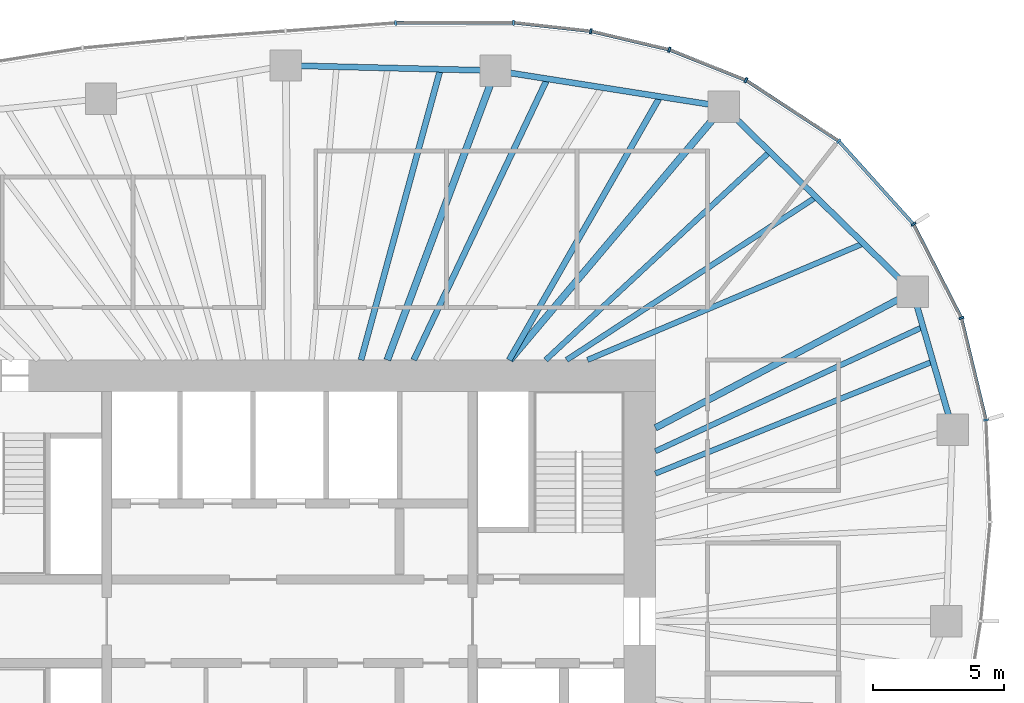
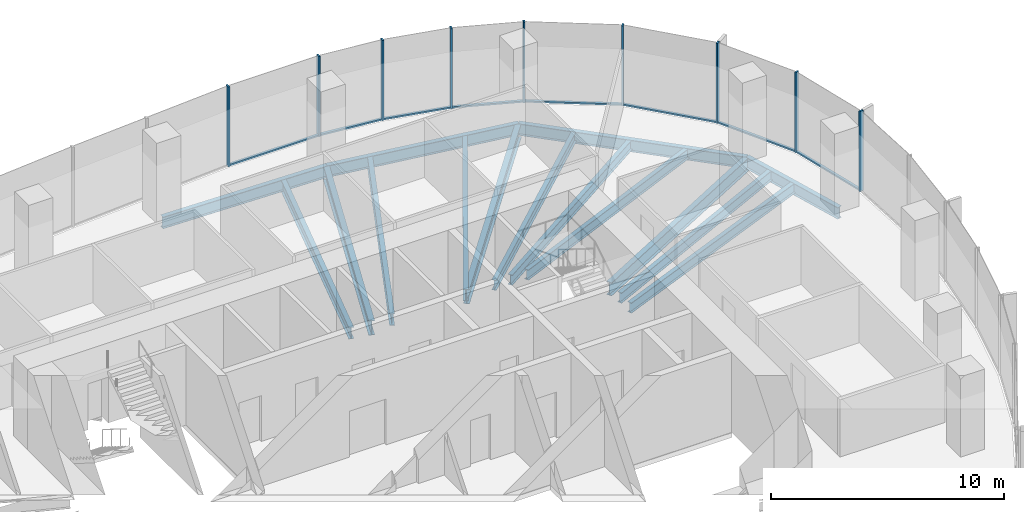
# One storey, part 6 of 12: 17 members, 15 beams, 4 elements without a shape of their own.
"""IFC4 building model written with IfcOpenShell, lengths in metres."""

from ifc_helpers import new_model, si_unit, direction, frame, origin, origin_2d, place, context, subcontext, project, spatial, rectangle, i_section, extrude, material, material_profile, profile_set, type_object, element, aggregate, save


model = new_model("IFC4")

# Units and contexts
model_context = context("Model", 3, precision=1e-05, world=origin(), true_north=direction((0.0, 1.0)))
body_context = subcontext(model_context, "Body", "Model", "MODEL_VIEW")
ifc_project = project(units=[si_unit("LENGTHUNIT", "METRE"), si_unit("AREAUNIT", "SQUARE_METRE"), si_unit("VOLUMEUNIT", "CUBIC_METRE"), si_unit("PLANEANGLEUNIT", "RADIAN"), si_unit("MASSUNIT", "GRAM", prefix="KILO")], contexts=[model_context])

# Site, building, storey
site_placement = place(None, origin())
site = spatial("IfcSite", under=ifc_project, at=site_placement, CompositionType="ELEMENT")
building_placement = place(site_placement, origin())
building = spatial("IfcBuilding", under=site, at=building_placement, Name="Ghaith Harvest Tower", CompositionType="ELEMENT")
storey_placement = place(building_placement, frame((0.0, 0.0, 249.39990234375)))
storey = spatial("IfcBuildingStorey", under=building, at=storey_placement, Name="L55", CompositionType="ELEMENT", Elevation=249.39990234375)

# Curtain wall, members
ifc_material_1 = material(Name="Black anodised aluminium and fritted glass", Category="aluminium")
curtain_wall_type = type_object("IfcCurtainWallType", Name="CW-H CURTAIN WALL", PredefinedType="NOTDEFINED", material=ifc_material_1)
curtain_wall_1_placement = place(storey_placement, origin())
curtain_wall_1 = element("IfcCurtainWall", 1, at=curtain_wall_1_placement, inside=storey, type_object=curtain_wall_type, Name="Curtain wall CW-H bay 02 L55", PredefinedType="NOTDEFINED")
ifc_material_2 = material(Name="Aluminium, black anodised", Category="aluminium")
ifc_material_profile_1 = material_profile(ifc_material_2, rectangle(XDim=0.080078125, YDim=0.199951171875, at=origin_2d()), Name="CW-H MULLION 80x200")
ifc_profile_set_1 = profile_set([ifc_material_profile_1], Name="Aluminium, black anodised")
member_type_1 = type_object("IfcMemberType", Name="CW-H MULLION 80x200", PredefinedType="MULLION", material=ifc_profile_set_1)
member_1_placement = place(storey_placement, frame((26.646484375, 7.701416015625, 0.0), z_axis=(0.0, 0.0, 1.0), x_axis=(-0.139146256981, 0.990271841046, 0.0)))
member_1 = element("IfcMember", 2, at=member_1_placement, type_object=member_type_1, Name="CW-H mullion 1 bay 02 L55", PredefinedType="MULLION", context=body_context, shape_type="SweptSolid", body=[
    extrude(rectangle(XDim=0.080078125, YDim=0.199951171875, at=origin_2d()), origin(), (0.0, 0.0, 1.0), 4.2001953125),
])
member_2_placement = place(storey_placement, frame((25.707275390625, 11.60546875, 0.0), z_axis=(0.0, 0.0, 1.0), x_axis=(-0.347012123561, 0.93786064322, 0.0)))
member_2 = element("IfcMember", 3, at=member_2_placement, type_object=member_type_1, Name="CW-H mullion 2 bay 02 L55", PredefinedType="MULLION", context=body_context, shape_type="SweptSolid", body=[
    extrude(rectangle(XDim=0.080078125, YDim=0.199951171875, at=origin_2d()), origin(), (0.0, 0.0, 1.0), 4.2001953125),
])

curtain_wall_2_placement = place(storey_placement, origin())
curtain_wall_2 = element("IfcCurtainWall", 4, at=curtain_wall_2_placement, inside=storey, type_object=curtain_wall_type, Name="Curtain wall CW-H bay 03 L55", PredefinedType="NOTDEFINED")
member_3_placement = place(storey_placement, frame((23.874267578125, 15.19384765625, 0.0), z_axis=(0.0, 0.0, 1.0), x_axis=(-0.569847382909, 0.821750546207, 0.0)))
member_3 = element("IfcMember", 5, at=member_3_placement, type_object=member_type_1, Name="CW-H mullion 1 bay 03 L55", PredefinedType="MULLION", context=body_context, shape_type="SweptSolid", body=[
    extrude(rectangle(XDim=0.080078125, YDim=0.199951171875, at=origin_2d()), origin(), (0.0, 0.0, 1.0), 4.2001953125),
])
member_4_placement = place(storey_placement, frame((21.013427734375, 18.374267578125, 0.0), z_axis=(0.0, 0.0, 1.0), x_axis=(-0.758541332755, 0.651624927778, 0.0)))
member_4 = element("IfcMember", 6, at=member_4_placement, type_object=member_type_1, Name="CW-H mullion 2 bay 03 L55", PredefinedType="MULLION", context=body_context, shape_type="SweptSolid", body=[
    extrude(rectangle(XDim=0.080078125, YDim=0.199951171875, at=origin_2d()), origin(), (0.0, 0.0, 1.0), 4.2001953125),
])

curtain_wall_3_placement = place(storey_placement, origin())
curtain_wall_3 = element("IfcCurtainWall", 7, at=curtain_wall_3_placement, inside=storey, type_object=curtain_wall_type, Name="Curtain wall CW-H bay 04 L55", PredefinedType="NOTDEFINED")
member_5_placement = place(storey_placement, frame((17.45947265625, 20.704345703125, 0.0), z_axis=(0.0, 0.0, 1.0), x_axis=(-0.880203412003, 0.474596621878, 0.0)))
member_5 = element("IfcMember", 8, at=member_5_placement, type_object=member_type_1, Name="CW-H mullion 1 bay 04 L55", PredefinedType="MULLION", context=body_context, shape_type="SweptSolid", body=[
    extrude(rectangle(XDim=0.080078125, YDim=0.199951171875, at=origin_2d()), origin(), (0.0, 0.0, 1.0), 4.2001953125),
])
member_6_placement = place(storey_placement, frame((14.52734375, 21.871337890625, 0.0), z_axis=(0.0, 0.0, 1.0), x_axis=(-0.953502908871, 0.30138381306, 0.0)))
member_6 = element("IfcMember", 9, at=member_6_placement, type_object=member_type_1, Name="CW-H mullion 2 bay 04 L55", PredefinedType="MULLION", context=body_context, shape_type="SweptSolid", body=[
    extrude(rectangle(XDim=0.080078125, YDim=0.199951171875, at=origin_2d()), origin(), (0.0, 0.0, 1.0), 4.2001953125),
])
member_7_placement = place(storey_placement, frame((11.527099609375, 22.579345703125, 0.0), z_axis=(0.0, 0.0, 1.0), x_axis=(-0.985193373388, 0.171446834417, 0.0)))
member_7 = element("IfcMember", 10, at=member_7_placement, type_object=member_type_1, Name="CW-H mullion 3 bay 04 L55", PredefinedType="MULLION", context=body_context, shape_type="SweptSolid", body=[
    extrude(rectangle(XDim=0.080078125, YDim=0.199951171875, at=origin_2d()), origin(), (0.0, 0.0, 1.0), 4.2001953125),
])

curtain_wall_4_placement = place(storey_placement, origin())
curtain_wall_4 = element("IfcCurtainWall", 11, at=curtain_wall_4_placement, inside=storey, type_object=curtain_wall_type, Name="Curtain wall CW-H bay 05 L55", PredefinedType="NOTDEFINED")
member_8_placement = place(storey_placement, frame((8.564208984375, 22.9091796875, 0.0), z_axis=(0.0, 0.0, 1.0), x_axis=(-0.999083519493, 0.042803283493, 0.0)))
member_8 = element("IfcMember", 12, at=member_8_placement, type_object=member_type_1, Name="CW-H mullion 1 bay 05 L55", PredefinedType="MULLION", context=body_context, shape_type="SweptSolid", body=[
    extrude(rectangle(XDim=0.080078125, YDim=0.199951171875, at=origin_2d()), origin(), (0.0, 0.0, 1.0), 4.2001953125),
])
member_9_placement = place(storey_placement, frame((4.0595703125, 22.8994140625, 0.0), z_axis=(0.0, 0.0, 1.0), x_axis=(-0.999332779724, -0.036523901335, 0.0)))
member_9 = element("IfcMember", 13, at=member_9_placement, type_object=member_type_1, Name="CW-H mullion 2 bay 05 L55", PredefinedType="MULLION", context=body_context, shape_type="SweptSolid", body=[
    extrude(rectangle(XDim=0.080078125, YDim=0.199951171875, at=origin_2d()), origin(), (0.0, 0.0, 1.0), 4.2001953125),
])

# Member
ifc_material_3 = material(Name="Aluminium, black anodised", Category="aluminium")
ifc_material_profile_2 = material_profile(ifc_material_3, rectangle(XDim=0.1298828125, YDim=0.080078125, at=origin_2d()), Name="CW-H TRANSOM 130x80")
ifc_profile_set_2 = profile_set([ifc_material_profile_2], Name="Aluminium, black anodised")
member_type_2 = type_object("IfcMemberType", Name="CW-H TRANSOM 130x80", PredefinedType="USERDEFINED", material=ifc_profile_set_2)
member_10_placement = place(storey_placement, frame((26.636962890625, 7.740234375, 0.0400390625), z_axis=(-0.233870324689, 0.972267798104, 0.0), x_axis=(-0.972267798104, -0.233870324689, 0.0)))
member_10 = element("IfcMember", 14, at=member_10_placement, type_object=member_type_2, Name="CW-H transom 1 bay 02 L55", ObjectType="TRANSOM", PredefinedType="USERDEFINED", context=body_context, shape_type="SweptSolid", body=[
    extrude(rectangle(XDim=0.1298828125, YDim=0.080078125, at=origin_2d()), origin(), (0.0, 0.0, 1.0), 3.935546875),
])

member_11_placement = place(storey_placement, frame((25.68896484375, 11.64111328125, 0.0400390625), z_axis=(-0.454911728312, 0.890536534592, 0.0), x_axis=(-0.890536534592, -0.454911728312, 0.0)))
member_11 = element("IfcMember", 15, at=member_11_placement, type_object=member_type_2, Name="CW-H transom 2 bay 02 L55", ObjectType="TRANSOM", PredefinedType="USERDEFINED", context=body_context, shape_type="SweptSolid", body=[
    extrude(rectangle(XDim=0.1298828125, YDim=0.080078125, at=origin_2d()), origin(), (0.0, 0.0, 1.0), 3.949462890625),
])

aggregate(curtain_wall_1, [member_1, member_10, member_2, member_11])

member_12_placement = place(storey_placement, frame((23.847412109375, 15.223388671875, 0.0400390625), z_axis=(-0.668752638518, 0.743484975286, 0.0), x_axis=(-0.743484975286, -0.668752638518, 0.0)))
member_12 = element("IfcMember", 16, at=member_12_placement, type_object=member_type_2, Name="CW-H transom 1 bay 03 L55", ObjectType="TRANSOM", PredefinedType="USERDEFINED", context=body_context, shape_type="SweptSolid", body=[
    extrude(rectangle(XDim=0.1298828125, YDim=0.080078125, at=origin_2d()), origin(), (0.0, 0.0, 1.0), 4.197998046875),
])

member_13_placement = place(storey_placement, frame((20.97998046875, 18.39599609375, 0.0400390625), z_axis=(-0.836268574396, 0.548320044753, 0.0), x_axis=(-0.548320044753, -0.836268574396, 0.0)))
member_13 = element("IfcMember", 17, at=member_13_placement, type_object=member_type_2, Name="CW-H transom 2 bay 03 L55", ObjectType="TRANSOM", PredefinedType="USERDEFINED", context=body_context, shape_type="SweptSolid", body=[
    extrude(rectangle(XDim=0.1298828125, YDim=0.080078125, at=origin_2d()), origin(), (0.0, 0.0, 1.0), 4.169677734375),
])

aggregate(curtain_wall_2, [member_3, member_12, member_4, member_13])

member_14_placement = place(storey_placement, frame((17.42236328125, 20.71923828125, 0.0400390625), z_axis=(-0.929115751434, 0.369789021521, 0.0), x_axis=(-0.369789021521, -0.929115751434, 0.0)))
member_14 = element("IfcMember", 18, at=member_14_placement, type_object=member_type_2, Name="CW-H transom 1 bay 04 L55", ObjectType="TRANSOM", PredefinedType="USERDEFINED", context=body_context, shape_type="SweptSolid", body=[
    extrude(rectangle(XDim=0.1298828125, YDim=0.080078125, at=origin_2d()), origin(), (0.0, 0.0, 1.0), 3.075927734375),
])

member_15_placement = place(storey_placement, frame((14.48828125, 21.880615234375, 0.0400390625), z_axis=(-0.97325803677, 0.229714592186, 0.0), x_axis=(-0.229714592186, -0.97325803677, 0.0)))
member_15 = element("IfcMember", 19, at=member_15_placement, type_object=member_type_2, Name="CW-H transom 2 bay 04 L55", ObjectType="TRANSOM", PredefinedType="USERDEFINED", context=body_context, shape_type="SweptSolid", body=[
    extrude(rectangle(XDim=0.1298828125, YDim=0.080078125, at=origin_2d()), origin(), (0.0, 0.0, 1.0), 3.00244140625),
])

member_16_placement = place(storey_placement, frame((11.4873046875, 22.583984375, 0.0400390625), z_axis=(-0.993867303252, 0.110579308762, 0.0), x_axis=(-0.110579308762, -0.993867303252, 0.0)))
member_16 = element("IfcMember", 20, at=member_16_placement, type_object=member_type_2, Name="CW-H transom 3 bay 04 L55", ObjectType="TRANSOM", PredefinedType="USERDEFINED", context=body_context, shape_type="SweptSolid", body=[
    extrude(rectangle(XDim=0.1298828125, YDim=0.080078125, at=origin_2d()), origin(), (0.0, 0.0, 1.0), 2.901123046875),
])

aggregate(curtain_wall_3, [member_5, member_14, member_6, member_15, member_7, member_16])

member_17_placement = place(storey_placement, frame((8.524169921875, 22.9091796875, 0.0400390625), z_axis=(-0.999997564275, -0.002207134722, 0.0), x_axis=(0.002207134722, -0.999997564275, 0.0)))
member_17 = element("IfcMember", 21, at=member_17_placement, type_object=member_type_2, Name="CW-H transom 1 bay 05 L55", ObjectType="TRANSOM", PredefinedType="USERDEFINED", context=body_context, shape_type="SweptSolid", body=[
    extrude(rectangle(XDim=0.1298828125, YDim=0.080078125, at=origin_2d()), origin(), (0.0, 0.0, 1.0), 4.424560546875),
])

aggregate(curtain_wall_4, [member_8, member_17, member_9])

# Beams
ifc_material_4 = material(Name="Steel ASTM A992 Grade 50", Category="steel")
ifc_material_profile_3 = material_profile(ifc_material_4, i_section(OverallWidth=0.22900390625, OverallDepth=0.612060546875, WebThickness=0.011962890625, FlangeThickness=0.01953125, at=origin_2d()), Name="W610X125")
ifc_profile_set_3 = profile_set([ifc_material_profile_3], Name="Steel ASTM A992 Grade 50")
beam_type_1 = type_object("IfcBeamType", Name="E610-125 W610X125", PredefinedType="SPANDREL", material=ifc_profile_set_3)
beam_1_placement = place(storey_placement, frame((25.3779296875, 7.3349609375, -0.475830078125), z_axis=(-0.278021352648, 0.960574894254, 0.0), x_axis=(-0.960574894254, -0.278021352648, 0.0)))
element("IfcBeam", 22, at=beam_1_placement, inside=storey, type_object=beam_type_1, Name="Edge beam E02 L55", PredefinedType="SPANDREL", context=body_context, shape_type="SweptSolid", body=[
    extrude(i_section(OverallWidth=0.22900390625, OverallDepth=0.612060546875, WebThickness=0.011962890625, FlangeThickness=0.01953125, at=origin_2d()), origin(), (0.0, 0.0, 1.0), 5.48828125),
])
beam_2_placement = place(storey_placement, frame((23.85205078125, 12.60693359375, -0.475830078125), z_axis=(-0.714761249388, 0.699368541166, 0.0), x_axis=(-0.699368541166, -0.714761249388, 0.0)))
element("IfcBeam", 23, at=beam_2_placement, inside=storey, type_object=beam_type_1, Name="Edge beam E03 L55", PredefinedType="SPANDREL", context=body_context, shape_type="SweptSolid", body=[
    extrude(i_section(OverallWidth=0.22900390625, OverallDepth=0.612060546875, WebThickness=0.011962890625, FlangeThickness=0.01953125, at=origin_2d()), origin(), (0.0, 0.0, 1.0), 10.135009765625),
])
beam_3_placement = place(storey_placement, frame((16.60791015625, 19.695068359375, -0.475830078125), z_axis=(-0.987788485872, 0.155800857439, 0.0), x_axis=(-0.155800857439, -0.987788485872, 0.0)))
element("IfcBeam", 24, at=beam_3_placement, inside=storey, type_object=beam_type_1, Name="Edge beam E04 L55", PredefinedType="SPANDREL", context=body_context, shape_type="SweptSolid", body=[
    extrude(i_section(OverallWidth=0.22900390625, OverallDepth=0.612060546875, WebThickness=0.011962890625, FlangeThickness=0.01953125, at=origin_2d()), origin(), (0.0, 0.0, 1.0), 8.837890625),
])
beam_4_placement = place(storey_placement, frame((7.8779296875, 21.072021484375, -0.475830078125), z_axis=(-0.999692679676, 0.024790042413, 0.0), x_axis=(-0.024790042413, -0.999692679676, 0.0)))
element("IfcBeam", 25, at=beam_4_placement, inside=storey, type_object=beam_type_1, Name="Edge beam E05 L55", PredefinedType="SPANDREL", context=body_context, shape_type="SweptSolid", body=[
    extrude(i_section(OverallWidth=0.22900390625, OverallDepth=0.612060546875, WebThickness=0.011962890625, FlangeThickness=0.01953125, at=origin_2d()), origin(), (0.0, 0.0, 1.0), 8.0263671875),
])
ifc_material_5 = material(Name="Steel ASTM A992 Grade 50", Category="steel")
ifc_material_profile_4 = material_profile(ifc_material_5, i_section(OverallWidth=0.256103515625, OverallDepth=0.693115234375, WebThickness=0.014404296875, FlangeThickness=0.023681640625, at=origin_2d()), Name="W690X170")
ifc_profile_set_4 = profile_set([ifc_material_profile_4], Name="Steel ASTM A992 Grade 50")
beam_type_2 = type_object("IfcBeamType", Name="G690-170 W690X170", PredefinedType="BEAM", material=ifc_profile_set_4)
beam_5_placement = place(storey_placement, frame((14.0, 7.39990234375, -0.516357421875), z_axis=(0.884112784119, 0.467273565438, 0.0), x_axis=(-0.467273565438, 0.884112784119, 0.0)))
element("IfcBeam", 26, at=beam_5_placement, inside=storey, type_object=beam_type_2, Name="Radial girder G03 L55", PredefinedType="BEAM", context=body_context, shape_type="SweptSolid", body=[
    extrude(i_section(OverallWidth=0.256103515625, OverallDepth=0.693115234375, WebThickness=0.014404296875, FlangeThickness=0.023681640625, at=origin_2d()), origin(), (0.0, 0.0, 1.0), 11.143310546875),
])
ifc_material_6 = material(Name="Steel ASTM A992 Grade 50", Category="steel")
ifc_material_profile_5 = material_profile(ifc_material_6, i_section(OverallWidth=0.26806640625, OverallDepth=0.77001953125, WebThickness=0.015625, FlangeThickness=0.025390625, at=origin_2d()), Name="W760X196")
ifc_profile_set_5 = profile_set([ifc_material_profile_5], Name="Steel ASTM A992 Grade 50")
beam_type_3 = type_object("IfcBeamType", Name="G760-196 W760X196", PredefinedType="BEAM", material=ifc_profile_set_5)
beam_6_placement = place(storey_placement, frame((8.4326171875, 10.0, -0.554931640625), z_axis=(0.644644245772, 0.764482698557, 0.0), x_axis=(-0.764482698557, 0.644644245772, 0.0)))
element("IfcBeam", 27, at=beam_6_placement, inside=storey, type_object=beam_type_3, Name="Radial girder G04 L55", PredefinedType="BEAM", context=body_context, shape_type="SweptSolid", body=[
    extrude(i_section(OverallWidth=0.26806640625, OverallDepth=0.77001953125, WebThickness=0.015625, FlangeThickness=0.025390625, at=origin_2d()), origin(), (0.0, 0.0, 1.0), 12.681884765625),
])
beam_7_placement = place(storey_placement, frame((3.73828125, 10.0, -0.554931640625), z_axis=(0.350206582147, 0.936672488024, 0.0), x_axis=(-0.936672488024, 0.350206582147, 0.0)))
element("IfcBeam", 28, at=beam_7_placement, inside=storey, type_object=beam_type_3, Name="Radial girder G05 L55", PredefinedType="BEAM", context=body_context, shape_type="SweptSolid", body=[
    extrude(i_section(OverallWidth=0.26806640625, OverallDepth=0.77001953125, WebThickness=0.015625, FlangeThickness=0.025390625, at=origin_2d()), origin(), (0.0, 0.0, 1.0), 11.820556640625),
])
ifc_material_7 = material(Name="Steel ASTM A992 Grade 50", Category="steel")
ifc_material_profile_6 = material_profile(ifc_material_7, i_section(OverallWidth=0.2109375, OverallDepth=0.5390625, WebThickness=0.01171875, FlangeThickness=0.018798828125, at=origin_2d()), Name="W530X109")
ifc_profile_set_6 = profile_set([ifc_material_profile_6], Name="Steel ASTM A992 Grade 50")
beam_type_4 = type_object("IfcBeamType", Name="J530-109 W530X109", PredefinedType="JOIST", material=ifc_profile_set_6)
beam_8_placement = place(storey_placement, frame((14.0, 5.653564453125, -0.439453125), z_axis=(0.927250374508, 0.37444190868, 0.0), x_axis=(-0.37444190868, 0.927250374508, 0.0)))
element("IfcBeam", 29, at=beam_8_placement, inside=storey, type_object=beam_type_4, Name="Joist J02.2 L55", PredefinedType="JOIST", context=body_context, shape_type="SweptSolid", body=[
    extrude(i_section(OverallWidth=0.2109375, OverallDepth=0.5390625, WebThickness=0.01171875, FlangeThickness=0.018798828125, at=origin_2d()), origin(), (0.0, 0.0, 1.0), 11.45654296875),
])
beam_9_placement = place(storey_placement, frame((14.0, 6.506103515625, -0.439453125), z_axis=(0.906864105655, 0.421423176718, 0.0), x_axis=(-0.421423176718, 0.906864105655, 0.0)))
element("IfcBeam", 30, at=beam_9_placement, inside=storey, type_object=beam_type_4, Name="Joist J02.3 L55", PredefinedType="JOIST", context=body_context, shape_type="SweptSolid", body=[
    extrude(i_section(OverallWidth=0.2109375, OverallDepth=0.5390625, WebThickness=0.01171875, FlangeThickness=0.018798828125, at=origin_2d()), origin(), (0.0, 0.0, 1.0), 11.292236328125),
])
beam_10_placement = place(storey_placement, frame((11.39990234375, 10.0, -0.439453125), z_axis=(0.92127415213, 0.388913790727, 0.0), x_axis=(-0.388913790727, 0.92127415213, 0.0)))
element("IfcBeam", 31, at=beam_10_placement, inside=storey, type_object=beam_type_4, Name="Joist J03.1 L55", PredefinedType="JOIST", context=body_context, shape_type="SweptSolid", body=[
    extrude(i_section(OverallWidth=0.2109375, OverallDepth=0.5390625, WebThickness=0.01171875, FlangeThickness=0.018798828125, at=origin_2d()), origin(), (0.0, 0.0, 1.0), 11.462646484375),
])
beam_11_placement = place(storey_placement, frame((10.60009765625, 10.0, -0.439453125), z_axis=(0.837329320942, 0.546698827775, 0.0), x_axis=(-0.546698827775, 0.837329320942, 0.0)))
element("IfcBeam", 32, at=beam_11_placement, inside=storey, type_object=beam_type_4, Name="Joist J03.2 L55", PredefinedType="JOIST", context=body_context, shape_type="SweptSolid", body=[
    extrude(i_section(OverallWidth=0.2109375, OverallDepth=0.5390625, WebThickness=0.01171875, FlangeThickness=0.018798828125, at=origin_2d()), origin(), (0.0, 0.0, 1.0), 11.40087890625),
])
beam_12_placement = place(storey_placement, frame((9.800048828125, 10.0, -0.439453125), z_axis=(0.732519288302, 0.680746275984, 0.0), x_axis=(-0.680746275984, 0.732519288302, 0.0)))
element("IfcBeam", 33, at=beam_12_placement, inside=storey, type_object=beam_type_4, Name="Joist J03.3 L55", PredefinedType="JOIST", context=body_context, shape_type="SweptSolid", body=[
    extrude(i_section(OverallWidth=0.2109375, OverallDepth=0.5390625, WebThickness=0.01171875, FlangeThickness=0.018798828125, at=origin_2d()), origin(), (0.0, 0.0, 1.0), 11.7041015625),
])
ifc_material_8 = material(Name="Steel ASTM A992 Grade 50", Category="steel")
ifc_material_profile_7 = material_profile(ifc_material_8, i_section(OverallWidth=0.22900390625, OverallDepth=0.612060546875, WebThickness=0.011962890625, FlangeThickness=0.01953125, at=origin_2d()), Name="W610X125")
ifc_profile_set_7 = profile_set([ifc_material_profile_7], Name="Steel ASTM A992 Grade 50")
beam_type_5 = type_object("IfcBeamType", Name="J610-125 W610X125", PredefinedType="JOIST", material=ifc_profile_set_7)
beam_13_placement = place(storey_placement, frame((8.39990234375, 10.0, -0.475830078125), z_axis=(0.497444212127, 0.867495968764, 0.0), x_axis=(-0.867495968764, 0.497444212127, 0.0)))
element("IfcBeam", 34, at=beam_13_placement, inside=storey, type_object=beam_type_5, Name="Joist J04.1 L55", PredefinedType="JOIST", context=body_context, shape_type="SweptSolid", body=[
    extrude(i_section(OverallWidth=0.22900390625, OverallDepth=0.612060546875, WebThickness=0.011962890625, FlangeThickness=0.01953125, at=origin_2d()), origin(), (0.0, 0.0, 1.0), 11.617431640625),
])
beam_14_placement = place(storey_placement, frame((4.75, 10.0, -0.475830078125), z_axis=(0.429069356877, 0.903271546651, 0.0), x_axis=(-0.903271546651, 0.429069356877, 0.0)))
element("IfcBeam", 35, at=beam_14_placement, inside=storey, type_object=beam_type_5, Name="Joist J04.3 L55", PredefinedType="JOIST", context=body_context, shape_type="SweptSolid", body=[
    extrude(i_section(OverallWidth=0.22900390625, OverallDepth=0.612060546875, WebThickness=0.011962890625, FlangeThickness=0.01953125, at=origin_2d()), origin(), (0.0, 0.0, 1.0), 11.911376953125),
])
beam_15_placement = place(storey_placement, frame((2.73095703125, 10.0, -0.475830078125), z_axis=(0.263455967932, 0.964671422279, 0.0), x_axis=(-0.964671422279, 0.263455967932, 0.0)))
element("IfcBeam", 36, at=beam_15_placement, inside=storey, type_object=beam_type_5, Name="Joist J05.1 L55", PredefinedType="JOIST", context=body_context, shape_type="SweptSolid", body=[
    extrude(i_section(OverallWidth=0.22900390625, OverallDepth=0.612060546875, WebThickness=0.011962890625, FlangeThickness=0.01953125, at=origin_2d()), origin(), (0.0, 0.0, 1.0), 11.53173828125),
])

save(model, "model.ifc")
